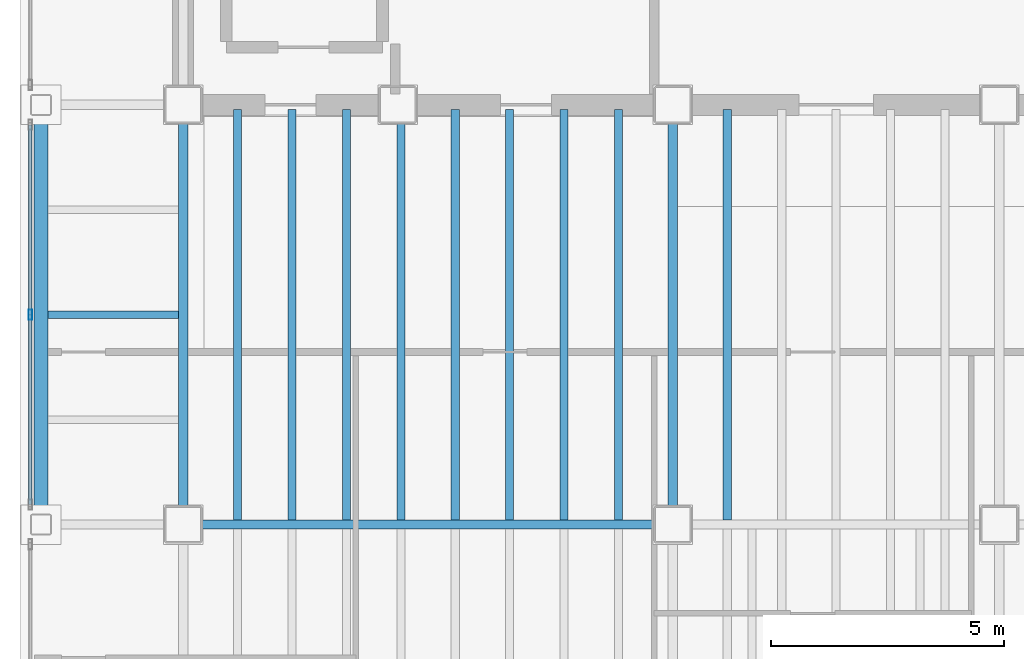
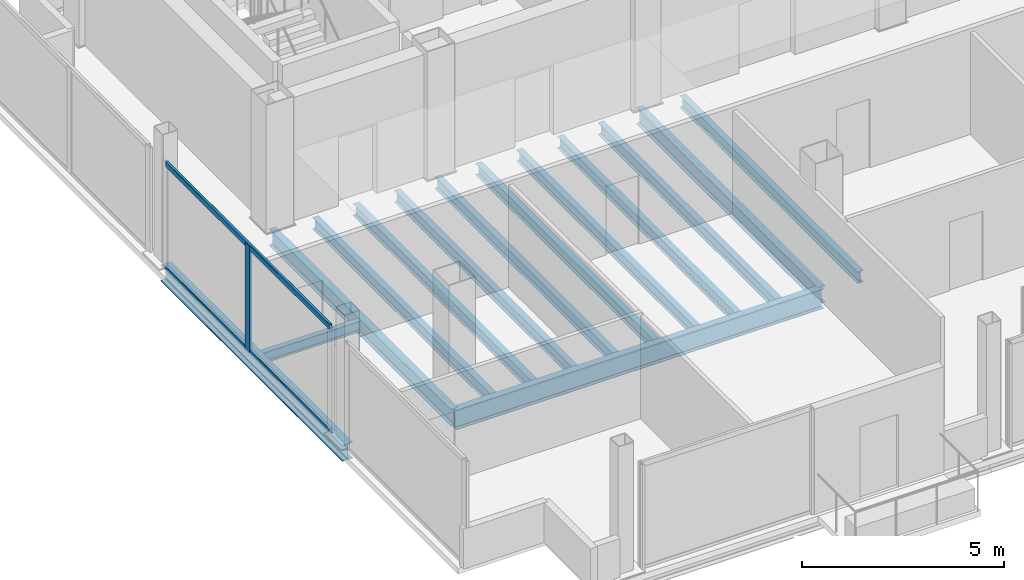
# One storey, part 3 of 15: 14 beams, 3 members, 1 element without a shape of its own.
"""IFC4 building model written with IfcOpenShell, lengths in metres."""

from ifc_helpers import new_model, si_unit, direction, frame, origin, origin_2d, place, context, subcontext, project, spatial, hollow_rectangle, i_section, extrude, material, material_profile, profile_set, type_object, element, aggregate, save


model = new_model("IFC4")

# Units and contexts
model_context = context("Model", 3, precision=1e-05, world=origin(), true_north=direction((0.0, 1.0)))
body_context = subcontext(model_context, "Body", "Model", "MODEL_VIEW")
ifc_project = project(units=[si_unit("LENGTHUNIT", "METRE"), si_unit("AREAUNIT", "SQUARE_METRE"), si_unit("VOLUMEUNIT", "CUBIC_METRE"), si_unit("PLANEANGLEUNIT", "RADIAN"), si_unit("MASSUNIT", "GRAM", prefix="KILO")], contexts=[model_context])

# Site, building, storey
site_placement = place(None, origin())
site = spatial("IfcSite", under=ifc_project, at=site_placement, CompositionType="ELEMENT")
building_placement = place(site_placement, origin())
building = spatial("IfcBuilding", under=site, at=building_placement, Name="Noeulbin Bourse Tower", CompositionType="ELEMENT")
storey_placement = place(building_placement, frame((0.0, 0.0, 222.800048828125)))
storey = spatial("IfcBuildingStorey", under=building, at=storey_placement, Name="L55", CompositionType="ELEMENT", Elevation=222.800048828125)

# Beams
ifc_material_1 = material(Name="Steel S355", Category="steel")
ifc_material_profile_1 = material_profile(ifc_material_1, i_section(OverallWidth=0.199951171875, OverallDepth=0.5, WebThickness=0.010009765625, FlangeThickness=0.01611328125, FilletRadius=0.02001953125, at=origin_2d()), Name="H-500x200x10x16", Category="LoadBearing")
ifc_profile_set_1 = profile_set([ifc_material_profile_1], Name="Steel S355")
beam_type_1 = type_object("IfcBeamType", Name="BM-GRD-500", PredefinedType="USERDEFINED", material=ifc_profile_set_1)
for number, where, z_axis, x_axis, name in (
    (1, (13.5, 20.0, -0.429931640625), (0.0, 1.0, 0.0), (-1.0, 0.0, 0.0), "Tower Primary Girder NS L55-1.2"),
    (2, (24.0, 20.0, -0.429931640625), (0.0, 1.0, 0.0), (-1.0, 0.0, 0.0), "Tower Primary Girder NS L55-2.2"),
):
    element("IfcBeam", number, at=place(storey_placement, frame(where, z_axis=z_axis, x_axis=x_axis)), inside=storey, type_object=beam_type_1, Name=name, ObjectType="GIRDER", PredefinedType="USERDEFINED", context=body_context, shape_type="SweptSolid", body=[
        extrude(i_section(OverallWidth=0.199951171875, OverallDepth=0.5, WebThickness=0.010009765625, FlangeThickness=0.01611328125, FilletRadius=0.02001953125, at=origin_2d()), origin(), (0.0, 0.0, 1.0), 9.0),
    ])
ifc_material_profile_2 = material_profile(ifc_material_1, i_section(OverallWidth=0.199951171875, OverallDepth=0.60009765625, WebThickness=0.010986328125, FlangeThickness=0.01708984375, FilletRadius=0.02197265625, at=origin_2d()), Name="H-600x200x11x17", Category="LoadBearing")
ifc_profile_set_2 = profile_set([ifc_material_profile_2], Name="Steel S355")
beam_type_2 = type_object("IfcBeamType", Name="BM-GRD-600", PredefinedType="USERDEFINED", material=ifc_profile_set_2)
beam_1_placement = place(storey_placement, frame((13.5, 20.0, -0.47998046875), z_axis=(1.0, 0.0, 0.0), x_axis=(0.0, 1.0, 0.0)))
element("IfcBeam", 3, at=beam_1_placement, inside=storey, type_object=beam_type_2, Name="Tower Primary Girder EW L55-1.2", ObjectType="GIRDER", PredefinedType="USERDEFINED", context=body_context, shape_type="SweptSolid", body=[
    extrude(i_section(OverallWidth=0.199951171875, OverallDepth=0.60009765625, WebThickness=0.010986328125, FlangeThickness=0.01708984375, FilletRadius=0.02197265625, at=origin_2d()), origin(), (0.0, 0.0, 1.0), 10.5),
])
ifc_material_profile_3 = material_profile(ifc_material_1, i_section(OverallWidth=0.159912109375, OverallDepth=0.320068359375, WebThickness=0.006591796875, FlangeThickness=0.010009765625, FilletRadius=0.012939453125, at=origin_2d()), Name="H-320x160x6.5x10", Category="LoadBearing")
ifc_profile_set_3 = profile_set([ifc_material_profile_3], Name="Steel S355")
beam_type_3 = type_object("IfcBeamType", Name="BM-JST-320", PredefinedType="JOIST", material=ifc_profile_set_3)
beam_2_placement = place(storey_placement, frame((10.60009765625, 24.5, -0.340087890625), z_axis=(1.0, 0.0, 0.0), x_axis=(0.0, 1.0, 0.0)))
element("IfcBeam", 4, at=beam_2_placement, inside=storey, type_object=beam_type_3, Name="Wing Composite Joist L55-W48", PredefinedType="JOIST", context=body_context, shape_type="SweptSolid", body=[
    extrude(i_section(OverallWidth=0.159912109375, OverallDepth=0.320068359375, WebThickness=0.006591796875, FlangeThickness=0.010009765625, FilletRadius=0.012939453125, at=origin_2d()), origin(), (0.0, 0.0, 1.0), 2.7998046875),
])
ifc_material_profile_4 = material_profile(ifc_material_1, i_section(OverallWidth=0.175048828125, OverallDepth=0.35009765625, WebThickness=0.007080078125, FlangeThickness=0.010986328125, FilletRadius=0.013916015625, at=origin_2d()), Name="H-350x175x7x11", Category="LoadBearing")
ifc_profile_set_4 = profile_set([ifc_material_profile_4], Name="Steel S355")
beam_type_4 = type_object("IfcBeamType", Name="BM-JST-350", PredefinedType="JOIST", material=ifc_profile_set_4)
for number, where, z_axis, x_axis, name in (
    (5, (14.666748046875, 20.10009765625, -0.35498046875), (0.0, 1.0, 0.0), (-1.0, 0.0, 0.0), "Tower Composite Joist L55-02"),
    (6, (15.833251953125, 20.10009765625, -0.35498046875), (0.0, 1.0, 0.0), (-1.0, 0.0, 0.0), "Tower Composite Joist L55-04"),
    (7, (17.0, 20.10009765625, -0.35498046875), (0.0, 1.0, 0.0), (-1.0, 0.0, 0.0), "Tower Composite Joist L55-06"),
    (8, (18.166748046875, 20.10009765625, -0.35498046875), (0.0, 1.0, 0.0), (-1.0, 0.0, 0.0), "Tower Composite Joist L55-08"),
    (9, (19.333251953125, 20.10009765625, -0.35498046875), (0.0, 1.0, 0.0), (-1.0, 0.0, 0.0), "Tower Composite Joist L55-10"),
    (10, (20.5, 20.10009765625, -0.35498046875), (0.0, 1.0, 0.0), (-1.0, 0.0, 0.0), "Tower Composite Joist L55-12"),
    (11, (21.666748046875, 20.10009765625, -0.35498046875), (0.0, 1.0, 0.0), (-1.0, 0.0, 0.0), "Tower Composite Joist L55-14"),
    (12, (22.833251953125, 20.10009765625, -0.35498046875), (0.0, 1.0, 0.0), (-1.0, 0.0, 0.0), "Tower Composite Joist L55-16"),
    (13, (25.166748046875, 20.10009765625, -0.35498046875), (0.0, 1.0, 0.0), (-1.0, 0.0, 0.0), "Tower Composite Joist L55-18"),
):
    element("IfcBeam", number, at=place(storey_placement, frame(where, z_axis=z_axis, x_axis=x_axis)), inside=storey, type_object=beam_type_4, Name=name, PredefinedType="JOIST", context=body_context, shape_type="SweptSolid", body=[
        extrude(i_section(OverallWidth=0.175048828125, OverallDepth=0.35009765625, WebThickness=0.007080078125, FlangeThickness=0.010986328125, FilletRadius=0.013916015625, at=origin_2d()), origin(), (0.0, 0.0, 1.0), 8.7998046875),
    ])
ifc_material_profile_5 = material_profile(ifc_material_1, i_section(OverallWidth=0.300048828125, OverallDepth=0.488037109375, WebThickness=0.010986328125, FlangeThickness=0.01806640625, FilletRadius=0.02197265625, at=origin_2d()), Name="H-488x300x11x18", Category="LoadBearing")
ifc_profile_set_5 = profile_set([ifc_material_profile_5], Name="Steel S355")
beam_type_5 = type_object("IfcBeamType", Name="BM-SPN-488", PredefinedType="SPANDREL", material=ifc_profile_set_5)
beam_3_placement = place(storey_placement, frame((10.449951171875, 20.0, -0.424072265625), z_axis=(0.0, 1.0, 0.0), x_axis=(-1.0, 0.0, 0.0)))
element("IfcBeam", 14, at=beam_3_placement, inside=storey, type_object=beam_type_5, Name="West Spandrel L55-1", PredefinedType="SPANDREL", context=body_context, shape_type="SweptSolid", body=[
    extrude(i_section(OverallWidth=0.300048828125, OverallDepth=0.488037109375, WebThickness=0.010986328125, FlangeThickness=0.01806640625, FilletRadius=0.02197265625, at=origin_2d()), origin(), (0.0, 0.0, 1.0), 9.0),
])

# Curtain wall, members
ifc_material_2 = material(Name="High-Selectivity Low-Iron Glazing", Category="glass")
curtain_wall_type = type_object("IfcCurtainWallType", Name="CW-SYS-4", PredefinedType="NOTDEFINED", material=ifc_material_2)
curtain_wall_placement = place(storey_placement, origin())
curtain_wall = element("IfcCurtainWall", 15, at=curtain_wall_placement, inside=storey, type_object=curtain_wall_type, Name="Unitised Curtain Wall CW-L55-W-S2", PredefinedType="NOTDEFINED")
ifc_material_3 = material(Name="Anodised Aluminium 6063-T6", Category="aluminium")
ifc_material_profile_6 = material_profile(ifc_material_3, hollow_rectangle(XDim=0.074951171875, YDim=0.219970703125, WallThickness=0.0048828125, InnerFilletRadius=0.00244140625, OuterFilletRadius=0.0048828125, at=origin_2d()), Name="ALU-MULL-75x220x5", Category="LoadBearing")
ifc_profile_set_6 = profile_set([ifc_material_profile_6], Name="Anodised Aluminium 6063-T6")
member_type_1 = type_object("IfcMemberType", Name="CW-SYS-4-MUL", PredefinedType="MULLION", material=ifc_profile_set_6)
member_1_placement = place(storey_placement, frame((10.219970703125, 24.5, -0.02001953125), z_axis=(0.0, 0.0, 1.0), x_axis=(1.0, 0.0, 0.0)))
member_1 = element("IfcMember", 16, at=member_1_placement, type_object=member_type_1, Name="Curtain Wall Mullion CW-L55-W-S2-M01", PredefinedType="MULLION", context=body_context, shape_type="SweptSolid", body=[
    extrude(hollow_rectangle(XDim=0.074951171875, YDim=0.219970703125, WallThickness=0.0048828125, InnerFilletRadius=0.00244140625, OuterFilletRadius=0.0048828125, at=origin_2d()), origin(), (0.0, 0.0, 1.0), 3.219970703125),
])
ifc_material_profile_7 = material_profile(ifc_material_3, hollow_rectangle(XDim=0.074951171875, YDim=0.159912109375, WallThickness=0.0048828125, InnerFilletRadius=0.00244140625, OuterFilletRadius=0.0048828125, at=origin_2d()), Name="ALU-TRAN-75x160x5", Category="LoadBearing")
ifc_profile_set_7 = profile_set([ifc_material_profile_7], Name="Anodised Aluminium 6063-T6")
member_type_2 = type_object("IfcMemberType", Name="CW-SYS-4-TRN", PredefinedType="USERDEFINED", material=ifc_profile_set_7)
member_2_placement = place(storey_placement, frame((10.219970703125, 20.43505859375, 0.010009765625), z_axis=(0.0, 1.0, 0.0), x_axis=(-1.0, 0.0, 0.0)))
member_2 = element("IfcMember", 17, at=member_2_placement, type_object=member_type_2, Name="Curtain Wall Transom CW-L55-W-S2-T00", ObjectType="TRANSOM", PredefinedType="USERDEFINED", context=body_context, shape_type="SweptSolid", body=[
    extrude(hollow_rectangle(XDim=0.074951171875, YDim=0.159912109375, WallThickness=0.0048828125, InnerFilletRadius=0.00244140625, OuterFilletRadius=0.0048828125, at=origin_2d()), origin(), (0.0, 0.0, 1.0), 8.1298828125),
])
member_3_placement = place(storey_placement, frame((10.219970703125, 20.43505859375, 3.169921875), z_axis=(0.0, 1.0, 0.0), x_axis=(-1.0, 0.0, 0.0)))
member_3 = element("IfcMember", 18, at=member_3_placement, type_object=member_type_2, Name="Curtain Wall Transom CW-L55-W-S2-T01", ObjectType="TRANSOM", PredefinedType="USERDEFINED", context=body_context, shape_type="SweptSolid", body=[
    extrude(hollow_rectangle(XDim=0.074951171875, YDim=0.159912109375, WallThickness=0.0048828125, InnerFilletRadius=0.00244140625, OuterFilletRadius=0.0048828125, at=origin_2d()), origin(), (0.0, 0.0, 1.0), 8.1298828125),
])
aggregate(curtain_wall, [member_1, member_2, member_3])

save(model, "model.ifc")
